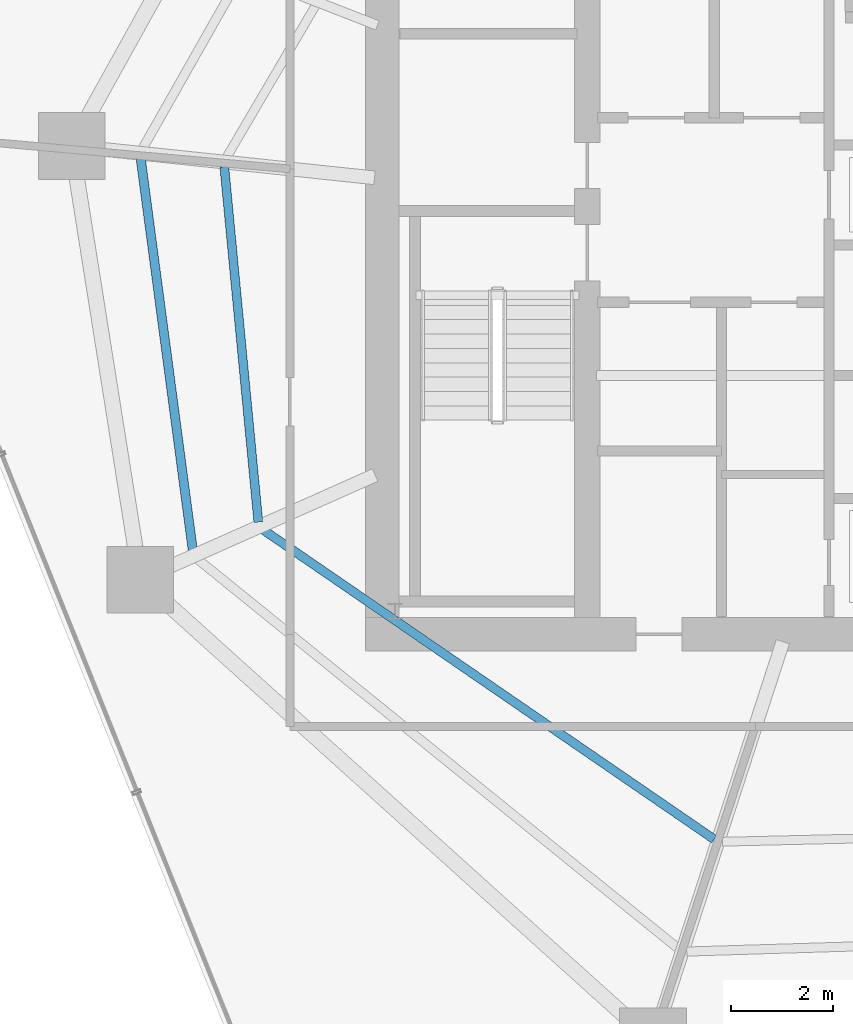
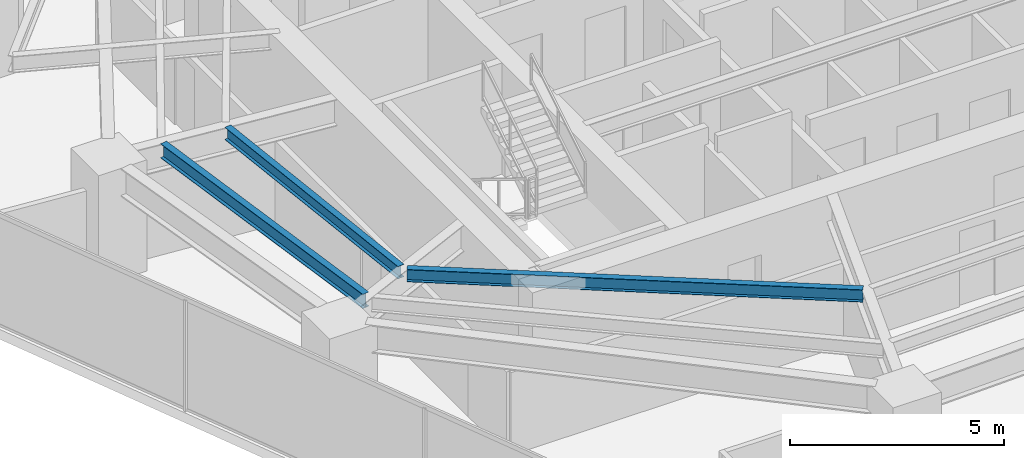
# One storey, part 8 of 32: 3 beams.
"""IFC4 building model written with IfcOpenShell, lengths in metres."""

from ifc_helpers import new_model, si_unit, direction, frame, origin, origin_2d, place, context, subcontext, project, spatial, i_section, extrude, material, material_profile, profile_set, type_object, element, save


model = new_model("IFC4")

# Units and contexts
model_context = context("Model", 3, precision=1e-05, world=origin(), true_north=direction((0.0, 1.0)))
body_context = subcontext(model_context, "Body", "Model", "MODEL_VIEW")
ifc_project = project(units=[si_unit("LENGTHUNIT", "METRE"), si_unit("AREAUNIT", "SQUARE_METRE"), si_unit("VOLUMEUNIT", "CUBIC_METRE"), si_unit("PLANEANGLEUNIT", "RADIAN"), si_unit("MASSUNIT", "GRAM", prefix="KILO")], contexts=[model_context])

# Site, building, storey
site_placement = place(None, origin())
site = spatial("IfcSite", under=ifc_project, at=site_placement, CompositionType="ELEMENT")
building_placement = place(site_placement, origin())
building = spatial("IfcBuilding", under=site, at=building_placement, Name="Qarnah Convention Tower", CompositionType="ELEMENT")
storey_placement = place(building_placement, frame((0.0, 0.0, 37.35009765625)))
storey = spatial("IfcBuildingStorey", under=building, at=storey_placement, Name="L08", CompositionType="ELEMENT", Elevation=37.35009765625)

# Beams
ifc_material = material(Name="Structural steel S355JR", Category="steel")
ifc_material_profile_1 = material_profile(ifc_material, i_section(OverallWidth=0.172119140625, OverallDepth=0.35595703125, WebThickness=0.007080078125, FlangeThickness=0.011962890625, at=origin_2d()), Name="W360X51")
ifc_profile_set_1 = profile_set([ifc_material_profile_1], Name="Structural steel S355JR")
beam_type_1 = type_object("IfcBeamType", Name="BM-JST-W360", PredefinedType="JOIST", material=ifc_profile_set_1)
beam_1_placement = place(storey_placement, frame((23.718994140625, 27.72802734375, 2.991943359375), z_axis=(0.095390779358, -0.995439902361, 0.0), x_axis=(0.995439902361, 0.095390779358, 0.0)))
element("IfcBeam", 1, at=beam_1_placement, inside=storey, type_object=beam_type_1, Name="L08 joist BM-L08-IJST-05", PredefinedType="JOIST", context=body_context, shape_type="SweptSolid", body=[
    extrude(i_section(OverallWidth=0.172119140625, OverallDepth=0.35595703125, WebThickness=0.007080078125, FlangeThickness=0.011962890625, at=origin_2d()), origin(), (0.0, 0.0, 1.0), 6.9716796875),
])
beam_2_placement = place(storey_placement, frame((24.467041015625, 20.64697265625, 2.991943359375), z_axis=(0.824529031088, -0.565819650501, 0.0), x_axis=(0.565819650501, 0.824529031088, 0.0)))
element("IfcBeam", 2, at=beam_2_placement, inside=storey, type_object=beam_type_1, Name="L08 joist BM-L08-IJST-06", PredefinedType="JOIST", context=body_context, shape_type="SweptSolid", body=[
    extrude(i_section(OverallWidth=0.172119140625, OverallDepth=0.35595703125, WebThickness=0.007080078125, FlangeThickness=0.011962890625, at=origin_2d()), origin(), (0.0, 0.0, 1.0), 10.68359375),
])
ifc_material_profile_2 = material_profile(ifc_material, i_section(OverallWidth=0.177978515625, OverallDepth=0.407958984375, WebThickness=0.008056640625, FlangeThickness=0.012939453125, at=origin_2d()), Name="W410X60")
ifc_profile_set_2 = profile_set([ifc_material_profile_2], Name="Structural steel S355JR")
beam_type_2 = type_object("IfcBeamType", Name="BM-JST-W410", PredefinedType="JOIST", material=ifc_profile_set_2)
beam_3_placement = place(storey_placement, frame((22.0859375, 27.90087890625, 2.9658203125), z_axis=(0.131767448728, -0.99128065625, 0.0), x_axis=(0.99128065625, 0.131767448728, 0.0)))
element("IfcBeam", 3, at=beam_3_placement, inside=storey, type_object=beam_type_2, Name="L08 joist BM-L08-SJST-05", PredefinedType="JOIST", context=body_context, shape_type="SweptSolid", body=[
    extrude(i_section(OverallWidth=0.177978515625, OverallDepth=0.407958984375, WebThickness=0.008056640625, FlangeThickness=0.012939453125, at=origin_2d()), origin(), (0.0, 0.0, 1.0), 7.74853515625),
])

save(model, "model.ifc")
